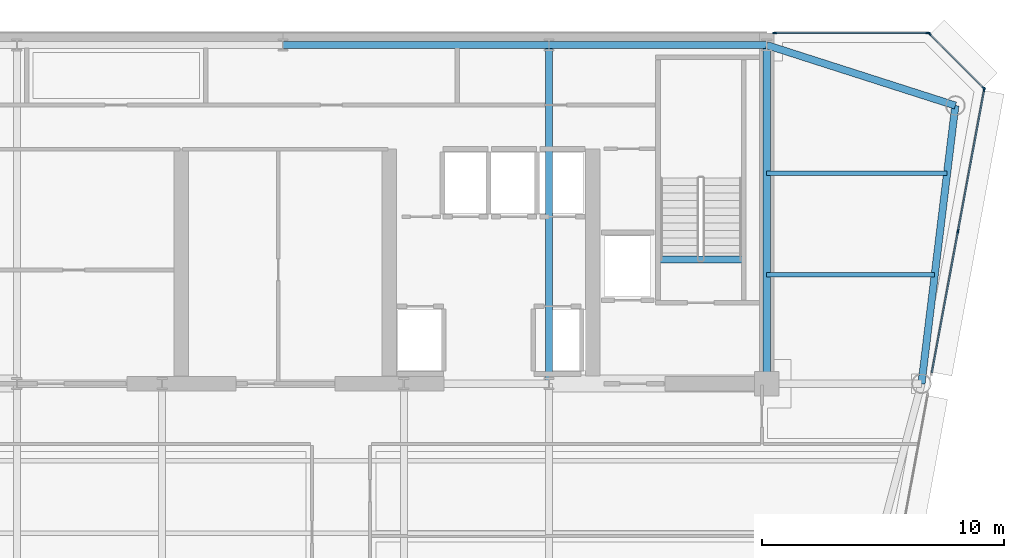
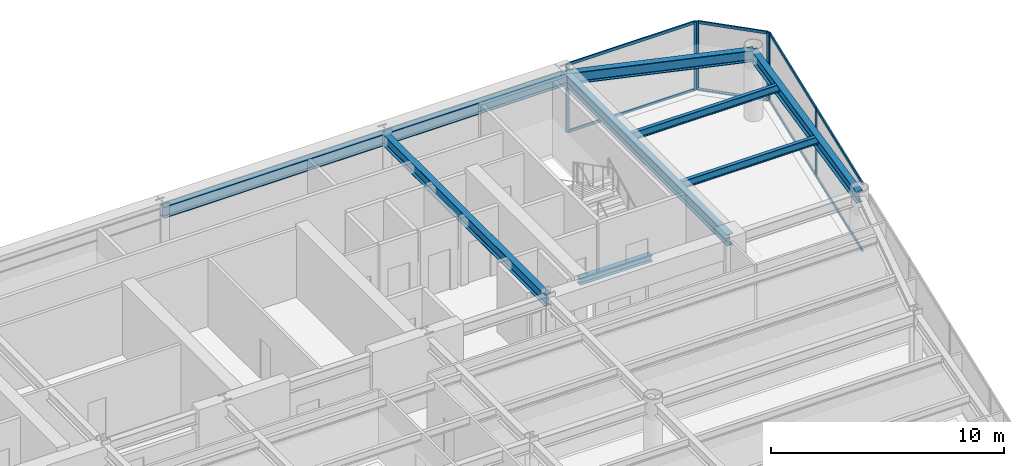
# One storey, part 8 of 16: 14 members, 9 beams, 3 elements without a shape of their own.
"""IFC4 building model written with IfcOpenShell, lengths in metres."""

import ifcopenshell
import ifcopenshell.guid

model = None  # the IFC model being written
_history = None  # IfcOwnerHistory: only IFC2X3 demands one
_inside = {}  # id of a spatial element -> (the spatial element, [elements in it])
_under = {}  # id of a project, library or spatial element -> (it, [spatial elements below it])
_declared = {}  # id of a project -> (the project, [libraries it declares])
_typed = {}  # id of a type object -> (the type object, [elements of that type])
_made_of = {}  # id of a material, layer set ... -> (it, [elements and type objects made of it])


def new_model(schema):
    """Start an empty IFC model of exactly this schema.

    Asked for "IFC4X3", IfcOpenShell would pick the latest addendum, in which some entities
    have other attributes; the version numbers below select the first issue.
    IFC2X3 requires an IfcOwnerHistory on every rooted entity: one is made here for all.
    """
    global model, _history
    if schema == "IFC4X3":
        model = ifcopenshell.file(schema_version=(4, 3, 0, 0))
    else:
        model = ifcopenshell.file(schema=schema)
    _inside.clear()
    _under.clear()
    _declared.clear()
    _typed.clear()
    _made_of.clear()
    _history = None
    if model.schema == "IFC2X3":
        org = make("IfcOrganization", Name="unknown")
        user = make(
            "IfcPersonAndOrganization",
            ThePerson=make("IfcPerson", FamilyName="unknown"),
            TheOrganization=org,
        )
        app = make(
            "IfcApplication",
            ApplicationDeveloper=org,
            Version="unknown",
            ApplicationFullName="unknown",
            ApplicationIdentifier="unknown",
        )
        _history = make(
            "IfcOwnerHistory",
            OwningUser=user,
            OwningApplication=app,
            ChangeAction="ADDED",
            CreationDate=0,
        )
    return model


def make(cls, **values):
    """One entity of the class cls with the attributes given. An attribute that is None is left unset."""
    return model.create_entity(
        cls, **{name: value for name, value in values.items() if value is not None}
    )


def rooted(cls, **values):
    """An entity with a GlobalId (a new one), such as an element, a storey or a relation."""
    return make(cls, GlobalId=ifcopenshell.guid.new(), OwnerHistory=_history, **values)


def si_unit(unit_type, name, prefix=None):
    """IfcSIUnit, for example si_unit("LENGTHUNIT", "METRE", prefix="MILLI")."""
    return make("IfcSIUnit", UnitType=unit_type, Prefix=prefix, Name=name)


def assignment(units):
    """IfcUnitAssignment: the units of a project."""
    return None if units is None else make("IfcUnitAssignment", Units=units)


def point(xyz):
    """IfcCartesianPoint."""
    return None if xyz is None else make("IfcCartesianPoint", Coordinates=xyz)


def direction(xyz):
    """IfcDirection."""
    return None if xyz is None else make("IfcDirection", DirectionRatios=xyz)


def frame(location, z_axis=None, x_axis=None):
    """IfcAxis2Placement3D, a coordinate frame: its origin and axes. An axis left out is left unset."""
    return make(
        "IfcAxis2Placement3D",
        Location=point(location),
        Axis=direction(z_axis),
        RefDirection=direction(x_axis),
    )


def frame_2d(location, x_axis=None):
    """IfcAxis2Placement2D, a coordinate frame in the plane: its origin and x axis."""
    return make(
        "IfcAxis2Placement2D", Location=point(location), RefDirection=direction(x_axis)
    )


def origin():
    """The frame at (0, 0, 0) with its axes left unset."""
    return frame((0.0, 0.0, 0.0))


def origin_2d():
    """The frame at (0, 0) in the plane with its x axis left unset."""
    return frame_2d((0.0, 0.0))


def place(relative_to, where):
    """IfcLocalPlacement: puts the frame where relative to a parent placement (None: the world)."""
    return make(
        "IfcLocalPlacement", PlacementRelTo=relative_to, RelativePlacement=where
    )


def context(
    kind, dimensions, precision=None, world=None, true_north=None, identifier=None
):
    """IfcGeometricRepresentationContext, for example the 3D "Model" context."""
    return make(
        "IfcGeometricRepresentationContext",
        ContextIdentifier=identifier,
        ContextType=kind,
        CoordinateSpaceDimension=dimensions,
        Precision=precision,
        WorldCoordinateSystem=world,
        TrueNorth=true_north,
    )


def subcontext(parent, identifier, kind, view, scale=None):
    """IfcGeometricRepresentationSubContext, for example "Body" below "Model"."""
    return make(
        "IfcGeometricRepresentationSubContext",
        ContextIdentifier=identifier,
        ContextType=kind,
        ParentContext=parent,
        TargetScale=scale,
        TargetView=view,
    )


def project(units=None, contexts=None):
    """IfcProject with its units and contexts."""
    return rooted(
        "IfcProject",
        Name="project",
        RepresentationContexts=contexts,
        UnitsInContext=assignment(units),
    )


def spatial(cls, under=None, at=None, **own):
    """A site, building, storey or space (cls), placed at a placement, below another one or the project."""
    s = rooted(cls, ObjectPlacement=at, **own)
    if under is not None:
        _under.setdefault(under.id(), (under, []))[1].append(s)
    return s


def profile(cls, at=None, kind="AREA", **sizes):
    """A parametric profile (cls). Its sizes go by their IFC names, for example OverallWidth=200.0."""
    return make(cls, ProfileType=kind, Position=at, **sizes)


def rectangle(**sizes):
    """IfcRectangleProfileDef."""
    return profile("IfcRectangleProfileDef", **sizes)


def i_section(**sizes):
    """IfcIShapeProfileDef."""
    return profile("IfcIShapeProfileDef", **sizes)


def extrude(swept, where, along, depth):
    """IfcExtrudedAreaSolid: the profile swept, set in the frame where, extruded along a direction by depth."""
    return make(
        "IfcExtrudedAreaSolid",
        SweptArea=swept,
        Position=where,
        ExtrudedDirection=direction(along),
        Depth=depth,
    )


def shape(context_of_items, identifier, shape_type, items):
    """IfcShapeRepresentation: the items that make up one representation, for example the "Body"."""
    return make(
        "IfcShapeRepresentation",
        ContextOfItems=context_of_items,
        RepresentationIdentifier=identifier,
        RepresentationType=shape_type,
        Items=items,
    )


def source(mapping_origin, context_of_items, identifier, shape_type, items):
    """IfcRepresentationMap: a shape defined once, which mapped items show again and again."""
    return make(
        "IfcRepresentationMap",
        MappingOrigin=mapping_origin,
        MappedRepresentation=shape(context_of_items, identifier, shape_type, items),
    )


def transform(
    local_origin,
    x_axis=None,
    y_axis=None,
    z_axis=None,
    scale=None,
    scale2=None,
    scale3=None,
    uniform=True,
):
    """IfcCartesianTransformationOperator3D, or its non-uniform kind. x_axis, y_axis, z_axis: its Axis1, 2, 3."""
    if uniform:
        return make(
            "IfcCartesianTransformationOperator3D",
            Axis1=direction(x_axis),
            Axis2=direction(y_axis),
            LocalOrigin=point(local_origin),
            Scale=scale,
            Axis3=direction(z_axis),
        )
    return make(
        "IfcCartesianTransformationOperator3DnonUniform",
        Axis1=direction(x_axis),
        Axis2=direction(y_axis),
        LocalOrigin=point(local_origin),
        Scale=scale,
        Axis3=direction(z_axis),
        Scale2=scale2,
        Scale3=scale3,
    )


def mapped(mapping_source, mapping_target):
    """IfcMappedItem: shows the shape of a source again, moved by a transform."""
    return make(
        "IfcMappedItem", MappingSource=mapping_source, MappingTarget=mapping_target
    )


def material(Name=None, Category=None):
    """IfcMaterial."""
    return make("IfcMaterial", Name=Name, Category=Category)


def layer(
    of_material, thickness, ventilated=None, Name=None, Category=None, Priority=None
):
    """IfcMaterialLayer: one layer of a wall or slab, of a material (None: an air gap)."""
    return make(
        "IfcMaterialLayer",
        Material=of_material,
        LayerThickness=thickness,
        IsVentilated=ventilated,
        Name=Name,
        Category=Category,
        Priority=Priority,
    )


def layer_set(layers, Name=None):
    """IfcMaterialLayerSet."""
    return make("IfcMaterialLayerSet", MaterialLayers=layers, LayerSetName=Name)


def material_profile(
    of_material, cross_section, Name=None, Category=None, Priority=None
):
    """IfcMaterialProfile: a cross section and its material."""
    return make(
        "IfcMaterialProfile",
        Name=Name,
        Material=of_material,
        Profile=cross_section,
        Priority=Priority,
        Category=Category,
    )


def profile_set(profiles, Name=None, composite=None):
    """IfcMaterialProfileSet."""
    return make(
        "IfcMaterialProfileSet",
        Name=Name,
        MaterialProfiles=profiles,
        CompositeProfile=composite,
    )


def made_of(thing, what):
    """Note that an element or type object is made of a material, layer set ...; save() writes the relation."""
    if what is not None:
        _made_of.setdefault(what.id(), (what, []))[1].append(thing)
    return thing


def type_object(cls, material=None, **own):
    """A type object (cls), such as IfcWallType, which elements share."""
    return made_of(rooted(cls, **own), material)


def element(
    cls,
    number,
    at=None,
    inside=None,
    cuts=None,
    type_object=None,
    material=None,
    context=None,
    identifier="Body",
    shape_type=None,
    held_by="IfcProductDefinitionShape",
    body=None,
    shapes=None,
    **own,
):
    """One element of the class cls, such as IfcWall. Its Tag is "e" and its number.

    at: its placement. inside: the storey or other place that contains it. cuts: it is an
    opening in that element (IfcRelVoidsElement). A single representation is given by context,
    identifier, shape_type and body (its items); several are given by shapes. held_by: the class
    of the entity that holds the representations. save() writes the other relations.
    """
    e = rooted(cls, Tag="e%d" % number, ObjectPlacement=at, **own)
    if body is not None:
        shapes = [shape(context, identifier, shape_type, body)]
    if shapes is not None:
        e.Representation = make(held_by, Representations=shapes)
    if inside is not None:
        _inside.setdefault(inside.id(), (inside, []))[1].append(e)
    if cuts is not None:
        rooted(
            "IfcRelVoidsElement", RelatingBuildingElement=cuts, RelatedOpeningElement=e
        )
    if type_object is not None:
        _typed.setdefault(type_object.id(), (type_object, []))[1].append(e)
    return made_of(e, material)


def aggregate(whole, parts):
    """IfcRelAggregates: a whole, such as a stair, and the parts it consists of."""
    return rooted("IfcRelAggregates", RelatingObject=whole, RelatedObjects=parts)


def save(model, path):
    """Write the relations noted so far, then the file.

    IfcRelAggregates (storeys below a building ...), IfcRelContainedInSpatialStructure (elements
    in a storey), IfcRelDefinesByType, IfcRelAssociatesMaterial and IfcRelDeclares: one each for
    every whole, place, type object, material and project.
    """
    for whole, parts in _under.values():
        aggregate(whole, parts)
    for where, things in _inside.values():
        rooted(
            "IfcRelContainedInSpatialStructure",
            RelatedElements=things,
            RelatingStructure=where,
        )
    for kind, things in _typed.values():
        rooted("IfcRelDefinesByType", RelatedObjects=things, RelatingType=kind)
    for what, things in _made_of.values():
        rooted("IfcRelAssociatesMaterial", RelatedObjects=things, RelatingMaterial=what)
    for by, libraries in _declared.values():
        rooted("IfcRelDeclares", RelatingContext=by, RelatedDefinitions=libraries)
    model.write(path)


model = new_model("IFC4")

# Units and contexts
model_context = context("Model", 3, precision=1e-05, world=origin(), true_north=direction((0.0, 1.0)))
body_context = subcontext(model_context, "Body", "Model", "MODEL_VIEW")
ifc_project = project(units=[si_unit("LENGTHUNIT", "METRE"), si_unit("AREAUNIT", "SQUARE_METRE"), si_unit("VOLUMEUNIT", "CUBIC_METRE"), si_unit("PLANEANGLEUNIT", "RADIAN"), si_unit("MASSUNIT", "GRAM", prefix="KILO")], contexts=[model_context])

# Site, building, storey
site_placement = place(None, origin())
site = spatial("IfcSite", under=ifc_project, at=site_placement, CompositionType="ELEMENT")
building_placement = place(site_placement, origin())
building = spatial("IfcBuilding", under=site, at=building_placement, Name="Vaeldorn Concourse Tower", CompositionType="ELEMENT")
storey_placement = place(building_placement, frame((0.0, 0.0, 207.0)))
storey = spatial("IfcBuildingStorey", under=building, at=storey_placement, Name="L53", CompositionType="ELEMENT", Elevation=207.0)

# Beams
ifc_material_1 = material(Name="Steel S355", Category="steel")
ifc_material_profile_1 = material_profile(ifc_material_1, i_section(OverallWidth=0.300048828125, OverallDepth=0.340087890625, WebThickness=0.011962890625, FlangeThickness=0.021484375, FilletRadius=0.027099609375, at=origin_2d()), Name="HEB 340")
ifc_profile_set_1 = profile_set([ifc_material_profile_1], Name="Steel S355")
beam_type_1 = type_object("IfcBeamType", Name="BM-ST-TRIM", PredefinedType="BEAM", material=ifc_profile_set_1)
shared_shape_1 = source(origin(), body_context, "Body", "SweptSolid", [
    extrude(i_section(OverallWidth=0.300048828125, OverallDepth=0.340087890625, WebThickness=0.011962890625, FlangeThickness=0.021484375, FilletRadius=0.027099609375, at=origin_2d()), origin(), (0.0, 0.0, 1.0), 3.590087890625),
])
beam_1_placement = place(storey_placement, frame((49.47998046875, 41.639892578125, -0.389892578125), z_axis=(1.0, 0.0, 0.0), x_axis=(0.0, 1.0, 0.0)))
element("IfcBeam", 1, at=beam_1_placement, inside=storey, type_object=beam_type_1, Name="Stair Landing Trimmer Beam ST-2 L53", PredefinedType="BEAM", context=body_context, shape_type="MappedRepresentation", body=[
    mapped(shared_shape_1, transform((0.0, 0.0, 0.0), scale=1.0)),
])
ifc_material_profile_2 = material_profile(ifc_material_1, i_section(OverallWidth=0.300048828125, OverallDepth=0.60009765625, WebThickness=0.015380859375, FlangeThickness=0.030029296875, FilletRadius=0.027099609375, at=origin_2d()), Name="HEB 600")
ifc_profile_set_2 = profile_set([ifc_material_profile_2], Name="Steel S355")
beam_type_2 = type_object("IfcBeamType", Name="BM-PG-HEB600", PredefinedType="BEAM", material=ifc_profile_set_2)
shared_shape_2 = source(origin(), body_context, "Body", "SweptSolid", [
    extrude(i_section(OverallWidth=0.300048828125, OverallDepth=0.60009765625, WebThickness=0.015380859375, FlangeThickness=0.030029296875, FilletRadius=0.027099609375, at=origin_2d()), origin(), (0.0, 0.0, 1.0), 9.0),
])
beam_2_placement = place(storey_placement, frame((45.0, 50.5, 3.280029296875), z_axis=(1.0, 0.0, 0.0), x_axis=(0.0, 1.0, 0.0)))
element("IfcBeam", 2, at=beam_2_placement, inside=storey, type_object=beam_type_2, Name="Beam BM-L53-C-HC4-C-HC5", PredefinedType="BEAM", context=body_context, shape_type="MappedRepresentation", body=[
    mapped(shared_shape_2, transform((0.0, 0.0, 0.0), scale=1.0)),
])
shared_shape_3 = source(origin(), body_context, "Body", "SweptSolid", [
    extrude(i_section(OverallWidth=0.300048828125, OverallDepth=0.60009765625, WebThickness=0.015380859375, FlangeThickness=0.030029296875, FilletRadius=0.027099609375, at=origin_2d()), origin(), (0.0, 0.0, 1.0), 11.0),
])
beam_3_placement = place(storey_placement, frame((34.0, 50.5, 3.280029296875), z_axis=(1.0, 0.0, 0.0), x_axis=(0.0, 1.0, 0.0)))
element("IfcBeam", 3, at=beam_3_placement, inside=storey, type_object=beam_type_2, Name="Beam BM-L53-C-HC3-C-HC4", PredefinedType="BEAM", context=body_context, shape_type="MappedRepresentation", body=[
    mapped(shared_shape_3, transform((0.0, 0.0, 0.0), scale=1.0)),
])
shared_shape_4 = source(origin(), body_context, "Body", "SweptSolid", [
    extrude(i_section(OverallWidth=0.300048828125, OverallDepth=0.60009765625, WebThickness=0.015380859375, FlangeThickness=0.030029296875, FilletRadius=0.027099609375, at=origin_2d()), origin(), (0.0, 0.0, 1.0), 14.0),
])
for number, where, z_axis, x_axis, name in (
    (4, (45.0, 36.5, 3.280029296875), (0.0, 1.0, 0.0), (-1.0, 0.0, 0.0), "Beam BM-L53-C-FC5-C-HC4"),
    (5, (54.0, 36.5, 3.280029296875), (0.0, 1.0, 0.0), (-1.0, 0.0, 0.0), "Beam BM-L53-C-FC6-C-HC5"),
):
    element("IfcBeam", number, at=place(storey_placement, frame(where, z_axis=z_axis, x_axis=x_axis)), inside=storey, type_object=beam_type_2, Name=name, PredefinedType="BEAM", context=body_context, shape_type="MappedRepresentation", body=[
        mapped(shared_shape_4, transform((0.0, 0.0, 0.0), scale=1.0)),
    ])
shared_shape_5 = source(origin(), body_context, "Body", "SweptSolid", [
    extrude(i_section(OverallWidth=0.300048828125, OverallDepth=0.60009765625, WebThickness=0.015380859375, FlangeThickness=0.030029296875, FilletRadius=0.027099609375, at=origin_2d()), origin(), (0.0, 0.0, 1.0), 8.19091796875),
])
beam_4_placement = place(storey_placement, frame((54.0, 50.5, 3.280029296875), z_axis=(0.952282843383, -0.305216949396, 0.0), x_axis=(0.305216949396, 0.952282843383, 0.0)))
element("IfcBeam", 6, at=beam_4_placement, inside=storey, type_object=beam_type_2, Name="Beam BM-L53-C-HC5-C-NE1", PredefinedType="BEAM", context=body_context, shape_type="MappedRepresentation", body=[
    mapped(shared_shape_5, transform((0.0, 0.0, 0.0), scale=1.0)),
])
shared_shape_6 = source(origin(), body_context, "Body", "SweptSolid", [
    extrude(i_section(OverallWidth=0.300048828125, OverallDepth=0.60009765625, WebThickness=0.015380859375, FlangeThickness=0.030029296875, FilletRadius=0.027099609375, at=origin_2d()), origin(), (0.0, 0.0, 1.0), 11.5849609375),
])
beam_5_placement = place(storey_placement, frame((61.800048828125, 48.0, 3.280029296875), z_axis=(-0.120859382899, -0.992669637677, 0.0), x_axis=(0.992669637677, -0.120859382899, 0.0)))
element("IfcBeam", 7, at=beam_5_placement, inside=storey, type_object=beam_type_2, Name="Beam BM-L53-C-NE1-C-NE2", PredefinedType="BEAM", context=body_context, shape_type="MappedRepresentation", body=[
    mapped(shared_shape_6, transform((0.0, 0.0, 0.0), scale=1.0)),
])
ifc_material_profile_3 = material_profile(ifc_material_1, i_section(OverallWidth=0.179931640625, OverallDepth=0.39990234375, WebThickness=0.008544921875, FlangeThickness=0.013427734375, FilletRadius=0.02099609375, at=origin_2d()), Name="IPE 400")
ifc_profile_set_3 = profile_set([ifc_material_profile_3], Name="Steel S355")
beam_type_3 = type_object("IfcBeamType", Name="BM-JS-IPE400", PredefinedType="JOIST", material=ifc_profile_set_3)
shared_shape_7 = source(origin(), body_context, "Body", "SweptSolid", [
    extrude(i_section(OverallWidth=0.179931640625, OverallDepth=0.39990234375, WebThickness=0.008544921875, FlangeThickness=0.013427734375, FilletRadius=0.02099609375, at=origin_2d()), origin(), (0.0, 0.0, 1.0), 6.94775390625),
])
beam_6_placement = place(storey_placement, frame((54.0, 41.0, 3.3798828125), z_axis=(1.0, 0.0, 0.0), x_axis=(0.0, 1.0, 0.0)))
element("IfcBeam", 8, at=beam_6_placement, inside=storey, type_object=beam_type_3, Name="Beam JS-L53-NE-410", PredefinedType="JOIST", context=body_context, shape_type="MappedRepresentation", body=[
    mapped(shared_shape_7, transform((0.0, 0.0, 0.0), scale=1.0)),
])
shared_shape_8 = source(origin(), body_context, "Body", "SweptSolid", [
    extrude(i_section(OverallWidth=0.179931640625, OverallDepth=0.39990234375, WebThickness=0.008544921875, FlangeThickness=0.013427734375, FilletRadius=0.02099609375, at=origin_2d()), origin(), (0.0, 0.0, 1.0), 7.458984375),
])
beam_7_placement = place(storey_placement, frame((54.0, 45.199951171875, 3.3798828125), z_axis=(1.0, 0.0, 0.0), x_axis=(0.0, 1.0, 0.0)))
element("IfcBeam", 9, at=beam_7_placement, inside=storey, type_object=beam_type_3, Name="Beam JS-L53-NE-452", PredefinedType="JOIST", context=body_context, shape_type="MappedRepresentation", body=[
    mapped(shared_shape_8, transform((0.0, 0.0, 0.0), scale=1.0)),
])

# Curtain wall, members
ifc_material_2 = material(Name="Anodised Bronze Aluminium", Category="aluminium")
ifc_layer_1 = layer(ifc_material_2, 0.18994140625)
ifc_layer_set_1 = layer_set([ifc_layer_1], Name="Anodised Bronze Aluminium")
curtain_wall_type_1 = type_object("IfcCurtainWallType", Name="CW-SYS-03", PredefinedType="NOTDEFINED", material=ifc_layer_set_1)
curtain_wall_1_placement = place(storey_placement, origin())
curtain_wall_1 = element("IfcCurtainWall", 10, at=curtain_wall_1_placement, inside=storey, type_object=curtain_wall_type_1, Name="Unitised Curtain Wall CW-L53-E08-1", PredefinedType="NOTDEFINED")
ifc_material_profile_4 = material_profile(ifc_material_2, rectangle(XDim=0.06494140625, YDim=0.14990234375, at=origin_2d()), Name="CWT 65x150")
ifc_profile_set_4 = profile_set([ifc_material_profile_4], Name="Anodised Bronze Aluminium")
member_type_1 = type_object("IfcMemberType", Name="CWT-BRONZE-150", PredefinedType="USERDEFINED", material=ifc_profile_set_4)
shared_shape_9 = source(origin(), body_context, "Body", "SweptSolid", [
    extrude(rectangle(XDim=0.06494140625, YDim=0.14990234375, at=origin_2d()), origin(), (0.0, 0.0, 1.0), 3.123046875),
])
member_1_placement = place(storey_placement, frame((62.9541015625, 48.745849609375, 0.032470703125), z_axis=(-0.707106781187, 0.707106781187, 0.0), x_axis=(-0.707106781187, -0.707106781187, 0.0)))
member_1 = element("IfcMember", 11, at=member_1_placement, type_object=member_type_1, Name="CW-03 transom 1.1", ObjectType="TRANSOM", PredefinedType="USERDEFINED", context=body_context, shape_type="MappedRepresentation", body=[
    mapped(shared_shape_9, transform((0.0, 0.0, 0.0), scale=1.0)),
])
member_2_placement = place(storey_placement, frame((62.9541015625, 48.745849609375, 3.547607421875), z_axis=(-0.707106781187, 0.707106781187, 0.0), x_axis=(-0.707106781187, -0.707106781187, 0.0)))
member_2 = element("IfcMember", 12, at=member_2_placement, type_object=member_type_1, Name="CW-03 transom 1.2", ObjectType="TRANSOM", PredefinedType="USERDEFINED", context=body_context, shape_type="MappedRepresentation", body=[
    mapped(shared_shape_9, transform((0.0, 0.0, 0.0), scale=1.0)),
])

ifc_layer_2 = layer(ifc_material_2, 0.2099609375)
ifc_layer_set_2 = layer_set([ifc_layer_2], Name="Anodised Bronze Aluminium")
curtain_wall_type_2 = type_object("IfcCurtainWallType", Name="CW-SYS-06", PredefinedType="NOTDEFINED", material=ifc_layer_set_2)
curtain_wall_2_placement = place(storey_placement, origin())
curtain_wall_2 = element("IfcCurtainWall", 13, at=curtain_wall_2_placement, inside=storey, type_object=curtain_wall_type_2, Name="Unitised Curtain Wall CW-L53-E07-2", PredefinedType="NOTDEFINED")
ifc_material_profile_5 = material_profile(ifc_material_2, rectangle(XDim=0.06494140625, YDim=0.169921875, at=origin_2d()), Name="CWM 65x170")
ifc_profile_set_5 = profile_set([ifc_material_profile_5], Name="Anodised Bronze Aluminium")
member_type_2 = type_object("IfcMemberType", Name="CWM-BRONZE-170", PredefinedType="MULLION", material=ifc_profile_set_5)
shared_shape_10 = source(origin(), body_context, "Body", "SweptSolid", [
    extrude(rectangle(XDim=0.06494140625, YDim=0.169921875, at=origin_2d()), origin(), (0.0, 0.0, 1.0), 3.580078125),
])
member_3_placement = place(storey_placement, frame((61.908203125, 42.7978515625, 0.0), z_axis=(0.0, 0.0, 1.0), x_axis=(-0.983319270992, 0.181887908602, 0.0)))
member_3 = element("IfcMember", 14, at=member_3_placement, type_object=member_type_2, Name="CW-06 mullion 2", PredefinedType="MULLION", context=body_context, shape_type="MappedRepresentation", body=[
    mapped(shared_shape_10, transform((0.0, 0.0, 0.0), scale=1.0)),
])
member_4_placement = place(storey_placement, frame((62.994140625, 48.66796875, 0.0), z_axis=(0.0, 0.0, 1.0), x_axis=(-0.983319270992, 0.181887908602, 0.0)))
member_4 = element("IfcMember", 15, at=member_4_placement, type_object=member_type_2, Name="CW-06 mullion 3", PredefinedType="MULLION", context=body_context, shape_type="MappedRepresentation", body=[
    mapped(shared_shape_10, transform((0.0, 0.0, 0.0), scale=1.0)),
])

# Member
member_5_placement = place(storey_placement, frame((62.97705078125, 48.722900390625, 0.0), z_axis=(0.0, 0.0, 1.0), x_axis=(-0.707106781187, -0.707106781187, 0.0)))
member_5 = element("IfcMember", 16, at=member_5_placement, type_object=member_type_2, Name="CW-03 mullion 1", PredefinedType="MULLION", context=body_context, shape_type="MappedRepresentation", body=[
    mapped(shared_shape_10, transform((0.0, 0.0, 0.0), scale=1.0)),
])

member_6_placement = place(storey_placement, frame((60.722900390625, 50.97705078125, 0.0), z_axis=(0.0, 0.0, 1.0), x_axis=(-0.707106781187, -0.707106781187, 0.0)))
member_6 = element("IfcMember", 17, at=member_6_placement, type_object=member_type_2, Name="CW-03 mullion 2", PredefinedType="MULLION", context=body_context, shape_type="MappedRepresentation", body=[
    mapped(shared_shape_10, transform((0.0, 0.0, 0.0), scale=1.0)),
])

aggregate(curtain_wall_1, [member_5, member_6, member_1, member_2])

# Curtain wall, members
curtain_wall_3_placement = place(storey_placement, origin())
curtain_wall_3 = element("IfcCurtainWall", 18, at=curtain_wall_3_placement, inside=storey, type_object=curtain_wall_type_1, Name="Unitised Curtain Wall CW-L53-E09-1", PredefinedType="NOTDEFINED")
member_7_placement = place(storey_placement, frame((60.66748046875, 51.0, 0.0), z_axis=(0.0, 0.0, 1.0), x_axis=(0.0, -1.0, 0.0)))
member_7 = element("IfcMember", 19, at=member_7_placement, type_object=member_type_2, Name="CW-03 mullion 1", PredefinedType="MULLION", context=body_context, shape_type="MappedRepresentation", body=[
    mapped(shared_shape_10, transform((0.0, 0.0, 0.0), scale=1.0)),
])
member_8_placement = place(storey_placement, frame((54.327392578125, 51.0, 0.0), z_axis=(0.0, 0.0, 1.0), x_axis=(0.0, -1.0, 0.0)))
member_8 = element("IfcMember", 20, at=member_8_placement, type_object=member_type_2, Name="CW-03 mullion 2", PredefinedType="MULLION", context=body_context, shape_type="MappedRepresentation", body=[
    mapped(shared_shape_10, transform((0.0, 0.0, 0.0), scale=1.0)),
])
shared_shape_11 = source(origin(), body_context, "Body", "SweptSolid", [
    extrude(rectangle(XDim=0.06494140625, YDim=0.14990234375, at=origin_2d()), origin(), (0.0, 0.0, 1.0), 6.27490234375),
])
member_9_placement = place(storey_placement, frame((60.635009765625, 51.0, 0.032470703125), z_axis=(-1.0, 0.0, 0.0), x_axis=(0.0, -1.0, 0.0)))
member_9 = element("IfcMember", 21, at=member_9_placement, type_object=member_type_1, Name="CW-03 transom 1.1", ObjectType="TRANSOM", PredefinedType="USERDEFINED", context=body_context, shape_type="MappedRepresentation", body=[
    mapped(shared_shape_11, transform((0.0, 0.0, 0.0), scale=1.0)),
])
member_10_placement = place(storey_placement, frame((60.635009765625, 51.0, 3.547607421875), z_axis=(-1.0, 0.0, 0.0), x_axis=(0.0, -1.0, 0.0)))
member_10 = element("IfcMember", 22, at=member_10_placement, type_object=member_type_1, Name="CW-03 transom 1.2", ObjectType="TRANSOM", PredefinedType="USERDEFINED", context=body_context, shape_type="MappedRepresentation", body=[
    mapped(shared_shape_11, transform((0.0, 0.0, 0.0), scale=1.0)),
])
aggregate(curtain_wall_3, [member_7, member_8, member_9, member_10])

# Member
shared_shape_12 = source(origin(), body_context, "Body", "SweptSolid", [
    extrude(rectangle(XDim=0.06494140625, YDim=0.14990234375, at=origin_2d()), origin(), (0.0, 0.0, 1.0), 5.90478515625),
])
member_11_placement = place(storey_placement, frame((60.828369140625, 36.95947265625, 0.032470703125), z_axis=(0.181879018898, 0.983320915309, 0.0), x_axis=(-0.983320915309, 0.181879018898, 0.0)))
member_11 = element("IfcMember", 23, at=member_11_placement, type_object=member_type_1, Name="CW-06 transom 1.1", ObjectType="TRANSOM", PredefinedType="USERDEFINED", context=body_context, shape_type="MappedRepresentation", body=[
    mapped(shared_shape_12, transform((0.0, 0.0, 0.0), scale=1.0)),
])

member_12_placement = place(storey_placement, frame((60.828369140625, 36.95947265625, 3.547607421875), z_axis=(0.181879018898, 0.983320915309, 0.0), x_axis=(-0.983320915309, 0.181879018898, 0.0)))
member_12 = element("IfcMember", 24, at=member_12_placement, type_object=member_type_1, Name="CW-06 transom 1.2", ObjectType="TRANSOM", PredefinedType="USERDEFINED", context=body_context, shape_type="MappedRepresentation", body=[
    mapped(shared_shape_12, transform((0.0, 0.0, 0.0), scale=1.0)),
])

member_13_placement = place(storey_placement, frame((61.9140625, 42.829833984375, 0.032470703125), z_axis=(0.181926392545, 0.983312151707, 0.0), x_axis=(-0.983312151707, 0.181926392545, 0.0)))
member_13 = element("IfcMember", 25, at=member_13_placement, type_object=member_type_1, Name="CW-06 transom 2.1", ObjectType="TRANSOM", PredefinedType="USERDEFINED", context=body_context, shape_type="MappedRepresentation", body=[
    mapped(shared_shape_12, transform((0.0, 0.0, 0.0), scale=1.0)),
])

member_14_placement = place(storey_placement, frame((61.9140625, 42.829833984375, 3.547607421875), z_axis=(0.181926392545, 0.983312151707, 0.0), x_axis=(-0.983312151707, 0.181926392545, 0.0)))
member_14 = element("IfcMember", 26, at=member_14_placement, type_object=member_type_1, Name="CW-06 transom 2.2", ObjectType="TRANSOM", PredefinedType="USERDEFINED", context=body_context, shape_type="MappedRepresentation", body=[
    mapped(shared_shape_12, transform((0.0, 0.0, 0.0), scale=1.0)),
])

aggregate(curtain_wall_2, [member_3, member_4, member_11, member_12, member_13, member_14])

save(model, "model.ifc")
